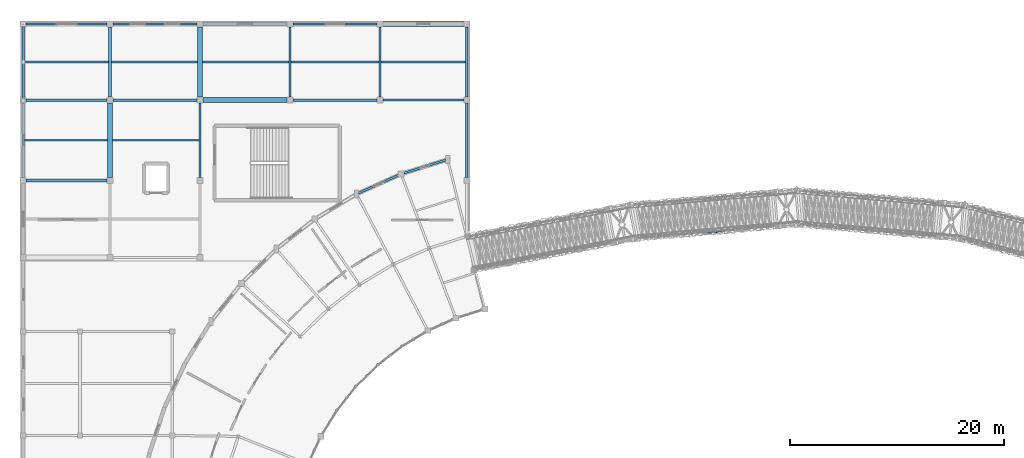
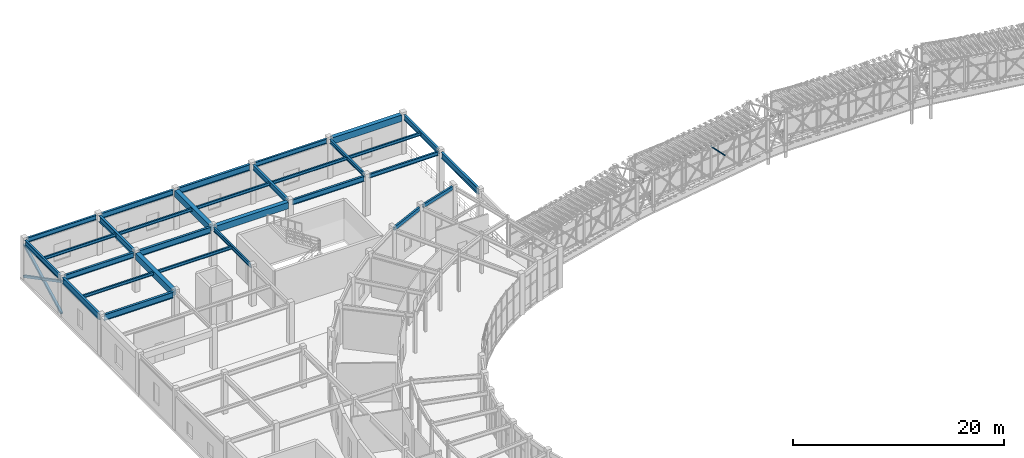
# One storey, part 52 of 144: 30 beams, 4 members.
"""IFC4 building model written with IfcOpenShell, lengths in metres."""

from ifc_helpers import new_model, si_unit, direction, frame, origin, origin_2d, place, context, subcontext, project, spatial, rectangle, hollow_rectangle, hollow_circle, i_section, extrude, material, material_profile, profile_set, type_object, element, save


model = new_model("IFC4")

# Units and contexts
model_context = context("Model", 3, precision=1e-05, world=origin(), true_north=direction((0.0, 1.0)))
body_context = subcontext(model_context, "Body", "Model", "MODEL_VIEW")
ifc_project = project(units=[si_unit("LENGTHUNIT", "METRE"), si_unit("AREAUNIT", "SQUARE_METRE"), si_unit("VOLUMEUNIT", "CUBIC_METRE"), si_unit("PLANEANGLEUNIT", "RADIAN"), si_unit("MASSUNIT", "GRAM", prefix="KILO")], contexts=[model_context])

# Site, building, storey
site_placement = place(None, origin())
site = spatial("IfcSite", under=ifc_project, at=site_placement, CompositionType="ELEMENT")
building_placement = place(site_placement, origin())
building = spatial("IfcBuilding", under=site, at=building_placement, Name="Cinderbank Siding Concert Hall", CompositionType="ELEMENT")
storey_placement = place(building_placement, frame((0.0, 0.0, 5.39990234375)))
storey = spatial("IfcBuildingStorey", under=building, at=storey_placement, Name="L02", CompositionType="ELEMENT", Elevation=5.39990234375)

# Beams
ifc_material_1 = material(Name="Reinforced concrete AS 3600 N50 (50 MPa)", Category="concrete")
ifc_material_profile_1 = material_profile(ifc_material_1, rectangle(XDim=0.449951171875, YDim=0.75, at=origin_2d()), Name="RC-BM-450x750", Category="LoadBearing")
ifc_profile_set_1 = profile_set([ifc_material_profile_1], Name="Reinforced concrete AS 3600 N50 (50 MPa)")
beam_type_1 = type_object("IfcBeamType", Name="BM-RC750 RC-BM-450x750", PredefinedType="BEAM", material=ifc_profile_set_1)
beam_1_placement = place(storey_placement, frame((15.199951171875, 103.56689453125, 4.177001953125), z_axis=(0.0, 1.0, 0.0), x_axis=(-1.0, 0.0, 0.0)))
element("IfcBeam", 1, at=beam_1_placement, inside=storey, type_object=beam_type_1, Name="L02 Beam BM-RC750 #1578", PredefinedType="BEAM", context=body_context, shape_type="SweptSolid", body=[
    extrude(rectangle(XDim=0.449951171875, YDim=0.75, at=origin_2d()), origin(), (0.0, 0.0, 1.0), 6.966064453125),
])
beam_2_placement = place(storey_placement, frame((23.866943359375, 110.800048828125, 4.177001953125), z_axis=(1.0, 0.0, 0.0), x_axis=(0.0, 1.0, 0.0)))
element("IfcBeam", 2, at=beam_2_placement, inside=storey, type_object=beam_type_1, Name="L02 Beam BM-RC750 #1584", PredefinedType="BEAM", context=body_context, shape_type="SweptSolid", body=[
    extrude(rectangle(XDim=0.449951171875, YDim=0.75, at=origin_2d()), origin(), (0.0, 0.0, 1.0), 7.865966796875),
])
beam_3_placement = place(storey_placement, frame((23.60009765625, 111.06689453125, 4.177001953125), z_axis=(0.0, 1.0, 0.0), x_axis=(-1.0, 0.0, 0.0)))
element("IfcBeam", 3, at=beam_3_placement, inside=storey, type_object=beam_type_1, Name="L02 Beam BM-RC750 #1585", PredefinedType="BEAM", context=body_context, shape_type="SweptSolid", body=[
    extrude(rectangle(XDim=0.449951171875, YDim=0.75, at=origin_2d()), origin(), (0.0, 0.0, 1.0), 6.566162109375),
])
beam_4_placement = place(storey_placement, frame((40.6669921875, 117.89990234375, 4.177001953125), z_axis=(1.0, 0.0, 0.0), x_axis=(0.0, 1.0, 0.0)))
element("IfcBeam", 4, at=beam_4_placement, inside=storey, type_object=beam_type_1, Name="L02 Beam BM-RC750 #1592", PredefinedType="BEAM", context=body_context, shape_type="SweptSolid", body=[
    extrude(rectangle(XDim=0.449951171875, YDim=0.75, at=origin_2d()), origin(), (0.0, 0.0, 1.0), 7.56591796875),
])
ifc_material_2 = material(Name="Structural steel AS/NZS 3679.1 Grade 350 (340 MPa)", Category="steel")
ifc_material_profile_2 = material_profile(ifc_material_2, i_section(OverallWidth=0.18994140625, OverallDepth=0.45751953125, WebThickness=0.009033203125, FlangeThickness=0.014404296875, at=origin_2d()), Name="460UB74.6", Category="LoadBearing")
ifc_profile_set_2 = profile_set([ifc_material_profile_2], Name="Structural steel AS/NZS 3679.1 Grade 350 (340 MPa)")
beam_type_2 = type_object("IfcBeamType", Name="BM-UB460 460UB74.6", PredefinedType="BEAM", material=ifc_profile_set_2)
beam_5_placement = place(storey_placement, frame((23.60009765625, 103.56689453125, 4.323486328125), z_axis=(0.0, 1.0, 0.0), x_axis=(-1.0, 0.0, 0.0)))
element("IfcBeam", 5, at=beam_5_placement, inside=storey, type_object=beam_type_2, Name="L02 Beam BM-UB460 #1583", PredefinedType="BEAM", context=body_context, shape_type="SweptSolid", body=[
    extrude(i_section(OverallWidth=0.18994140625, OverallDepth=0.45751953125, WebThickness=0.009033203125, FlangeThickness=0.014404296875, at=origin_2d()), origin(), (0.0, 0.0, 1.0), 6.966064453125),
])
beam_6_placement = place(storey_placement, frame((40.6669921875, 110.800048828125, 4.323486328125), z_axis=(1.0, 0.0, 0.0), x_axis=(0.0, 1.0, 0.0)))
element("IfcBeam", 6, at=beam_6_placement, inside=storey, type_object=beam_type_2, Name="L02 Beam BM-UB460 #1590", PredefinedType="BEAM", context=body_context, shape_type="SweptSolid", body=[
    extrude(i_section(OverallWidth=0.18994140625, OverallDepth=0.45751953125, WebThickness=0.009033203125, FlangeThickness=0.014404296875, at=origin_2d()), origin(), (0.0, 0.0, 1.0), 7.56591796875),
])
beam_7_placement = place(storey_placement, frame((40.39990234375, 111.06689453125, 4.323486328125), z_axis=(0.0, 1.0, 0.0), x_axis=(-1.0, 0.0, 0.0)))
element("IfcBeam", 7, at=beam_7_placement, inside=storey, type_object=beam_type_2, Name="L02 Beam BM-UB460 #1591", PredefinedType="BEAM", context=body_context, shape_type="SweptSolid", body=[
    extrude(i_section(OverallWidth=0.18994140625, OverallDepth=0.45751953125, WebThickness=0.009033203125, FlangeThickness=0.014404296875, at=origin_2d()), origin(), (0.0, 0.0, 1.0), 6.566162109375),
])
ifc_material_profile_3 = material_profile(ifc_material_2, i_section(OverallWidth=0.208984375, OverallDepth=0.5283203125, WebThickness=0.009521484375, FlangeThickness=0.01318359375, at=origin_2d()), Name="530UB82.0", Category="LoadBearing")
ifc_profile_set_3 = profile_set([ifc_material_profile_3], Name="Structural steel AS/NZS 3679.1 Grade 350 (340 MPa)")
beam_type_3 = type_object("IfcBeamType", Name="BM-UB530 530UB82.0", PredefinedType="BEAM", material=ifc_profile_set_3)
beam_8_placement = place(storey_placement, frame((7.366943359375, 117.89990234375, 4.2880859375), z_axis=(1.0, 0.0, 0.0), x_axis=(0.0, 1.0, 0.0)))
element("IfcBeam", 8, at=beam_8_placement, inside=storey, type_object=beam_type_3, Name="L02 Beam BM-UB530 #1575", PredefinedType="BEAM", context=body_context, shape_type="SweptSolid", body=[
    extrude(i_section(OverallWidth=0.208984375, OverallDepth=0.5283203125, WebThickness=0.009521484375, FlangeThickness=0.01318359375, at=origin_2d()), origin(), (0.0, 0.0, 1.0), 7.566162109375),
])
beam_9_placement = place(storey_placement, frame((32.26708984375, 117.89990234375, 4.2880859375), z_axis=(1.0, 0.0, 0.0), x_axis=(0.0, 1.0, 0.0)))
element("IfcBeam", 9, at=beam_9_placement, inside=storey, type_object=beam_type_3, Name="L02 Beam BM-UB530 #1589", PredefinedType="BEAM", context=body_context, shape_type="SweptSolid", body=[
    extrude(i_section(OverallWidth=0.208984375, OverallDepth=0.5283203125, WebThickness=0.009521484375, FlangeThickness=0.01318359375, at=origin_2d()), origin(), (0.0, 0.0, 1.0), 7.865966796875),
])
ifc_material_profile_4 = material_profile(ifc_material_2, i_section(OverallWidth=0.22802734375, OverallDepth=0.602294921875, WebThickness=0.010498046875, FlangeThickness=0.014892578125, at=origin_2d()), Name="610UB101", Category="LoadBearing")
ifc_profile_set_4 = profile_set([ifc_material_profile_4], Name="Structural steel AS/NZS 3679.1 Grade 350 (340 MPa)")
beam_type_4 = type_object("IfcBeamType", Name="BM-UB610 610UB101", PredefinedType="BEAM", material=ifc_profile_set_4)
beam_10_placement = place(storey_placement, frame((7.366943359375, 110.800048828125, 4.2509765625), z_axis=(1.0, 0.0, 0.0), x_axis=(0.0, 1.0, 0.0)))
element("IfcBeam", 10, at=beam_10_placement, inside=storey, type_object=beam_type_4, Name="L02 Beam BM-UB610 #1573", PredefinedType="BEAM", context=body_context, shape_type="SweptSolid", body=[
    extrude(i_section(OverallWidth=0.22802734375, OverallDepth=0.602294921875, WebThickness=0.010498046875, FlangeThickness=0.014892578125, at=origin_2d()), origin(), (0.0, 0.0, 1.0), 7.566162109375),
])
beam_11_placement = place(storey_placement, frame((7.10009765625, 111.06689453125, 4.2509765625), z_axis=(0.0, 1.0, 0.0), x_axis=(-1.0, 0.0, 0.0)))
element("IfcBeam", 11, at=beam_11_placement, inside=storey, type_object=beam_type_4, Name="L02 Beam BM-UB610 #1574", PredefinedType="BEAM", context=body_context, shape_type="SweptSolid", body=[
    extrude(i_section(OverallWidth=0.22802734375, OverallDepth=0.602294921875, WebThickness=0.010498046875, FlangeThickness=0.014892578125, at=origin_2d()), origin(), (0.0, 0.0, 1.0), 6.566162109375),
])
for number, where, z_axis, x_axis, name in (
    (12, (15.467041015625, 117.89990234375, 4.2509765625), (1.0, 0.0, 0.0), (0.0, 1.0, 0.0), "L02 Beam BM-UB610 #1581"),
    (13, (32.26708984375, 110.800048828125, 4.2509765625), (1.0, 0.0, 0.0), (0.0, 1.0, 0.0), "L02 Beam BM-UB610 #1587"),
):
    element("IfcBeam", number, at=place(storey_placement, frame(where, z_axis=z_axis, x_axis=x_axis)), inside=storey, type_object=beam_type_4, Name=name, PredefinedType="BEAM", context=body_context, shape_type="SweptSolid", body=[
        extrude(i_section(OverallWidth=0.22802734375, OverallDepth=0.602294921875, WebThickness=0.010498046875, FlangeThickness=0.014892578125, at=origin_2d()), origin(), (0.0, 0.0, 1.0), 7.865966796875),
    ])
for number, where, z_axis, x_axis, name in (
    (14, (32.0, 111.06689453125, 4.2509765625), (0.0, 1.0, 0.0), (-1.0, 0.0, 0.0), "L02 Beam BM-UB610 #1588"),
    (15, (48.5, 111.06689453125, 4.2509765625), (0.0, 1.0, 0.0), (-1.0, 0.0, 0.0), "L02 Beam BM-UB610 #1594"),
):
    element("IfcBeam", number, at=place(storey_placement, frame(where, z_axis=z_axis, x_axis=x_axis)), inside=storey, type_object=beam_type_4, Name=name, PredefinedType="BEAM", context=body_context, shape_type="SweptSolid", body=[
        extrude(i_section(OverallWidth=0.22802734375, OverallDepth=0.602294921875, WebThickness=0.010498046875, FlangeThickness=0.014892578125, at=origin_2d()), origin(), (0.0, 0.0, 1.0), 6.566162109375),
    ])
ifc_material_3 = material(Name="Structural steel welded plate section AS/NZS 3679.2 / AS/NZS 3678 Grade 350 (340 MPa)", Category="steel")
ifc_material_profile_5 = material_profile(ifc_material_3, i_section(OverallWidth=0.25, OverallDepth=0.699951171875, WebThickness=0.010009765625, FlangeThickness=0.01611328125, at=origin_2d()), Name="700WB130", Category="LoadBearing")
ifc_profile_set_5 = profile_set([ifc_material_profile_5], Name="Structural steel welded plate section AS/NZS 3679.2 / AS/NZS 3678 Grade 350 (340 MPa)")
beam_type_5 = type_object("IfcBeamType", Name="BM-WB700 700WB130", PredefinedType="BEAM", material=ifc_profile_set_5)
beam_12_placement = place(storey_placement, frame((7.366943359375, 103.300048828125, 4.2021484375), z_axis=(1.0, 0.0, 0.0), x_axis=(0.0, 1.0, 0.0)))
element("IfcBeam", 16, at=beam_12_placement, inside=storey, type_object=beam_type_5, Name="L02 Beam BM-WB700 #1571", PredefinedType="BEAM", context=body_context, shape_type="SweptSolid", body=[
    extrude(i_section(OverallWidth=0.25, OverallDepth=0.699951171875, WebThickness=0.010009765625, FlangeThickness=0.01611328125, at=origin_2d()), origin(), (0.0, 0.0, 1.0), 7.566162109375),
])
beam_13_placement = place(storey_placement, frame((7.10009765625, 103.56689453125, 4.2021484375), z_axis=(0.0, 1.0, 0.0), x_axis=(-1.0, 0.0, 0.0)))
element("IfcBeam", 17, at=beam_13_placement, inside=storey, type_object=beam_type_5, Name="L02 Beam BM-WB700 #1572", PredefinedType="BEAM", context=body_context, shape_type="SweptSolid", body=[
    extrude(i_section(OverallWidth=0.25, OverallDepth=0.699951171875, WebThickness=0.010009765625, FlangeThickness=0.01611328125, at=origin_2d()), origin(), (0.0, 0.0, 1.0), 6.966064453125),
])
beam_14_placement = place(storey_placement, frame((15.467041015625, 110.800048828125, 4.2021484375), z_axis=(1.0, 0.0, 0.0), x_axis=(0.0, 1.0, 0.0)))
element("IfcBeam", 18, at=beam_14_placement, inside=storey, type_object=beam_type_5, Name="L02 Beam BM-WB700 #1579", PredefinedType="BEAM", context=body_context, shape_type="SweptSolid", body=[
    extrude(i_section(OverallWidth=0.25, OverallDepth=0.699951171875, WebThickness=0.010009765625, FlangeThickness=0.01611328125, at=origin_2d()), origin(), (0.0, 0.0, 1.0), 7.865966796875),
])
beam_15_placement = place(storey_placement, frame((15.199951171875, 111.06689453125, 4.2021484375), z_axis=(0.0, 1.0, 0.0), x_axis=(-1.0, 0.0, 0.0)))
element("IfcBeam", 19, at=beam_15_placement, inside=storey, type_object=beam_type_5, Name="L02 Beam BM-WB700 #1580", PredefinedType="BEAM", context=body_context, shape_type="SweptSolid", body=[
    extrude(i_section(OverallWidth=0.25, OverallDepth=0.699951171875, WebThickness=0.010009765625, FlangeThickness=0.01611328125, at=origin_2d()), origin(), (0.0, 0.0, 1.0), 6.566162109375),
])
beam_16_placement = place(storey_placement, frame((23.866943359375, 117.89990234375, 4.2021484375), z_axis=(1.0, 0.0, 0.0), x_axis=(0.0, 1.0, 0.0)))
element("IfcBeam", 20, at=beam_16_placement, inside=storey, type_object=beam_type_5, Name="L02 Beam BM-WB700 #1586", PredefinedType="BEAM", context=body_context, shape_type="SweptSolid", body=[
    extrude(i_section(OverallWidth=0.25, OverallDepth=0.699951171875, WebThickness=0.010009765625, FlangeThickness=0.01611328125, at=origin_2d()), origin(), (0.0, 0.0, 1.0), 7.865966796875),
])
beam_17_placement = place(storey_placement, frame((48.5, 103.56689453125, 4.2021484375), z_axis=(0.0, 1.0, 0.0), x_axis=(-1.0, 0.0, 0.0)))
element("IfcBeam", 21, at=beam_17_placement, inside=storey, type_object=beam_type_5, Name="L02 Beam BM-WB700 #1593", PredefinedType="BEAM", context=body_context, shape_type="SweptSolid", body=[
    extrude(i_section(OverallWidth=0.25, OverallDepth=0.699951171875, WebThickness=0.010009765625, FlangeThickness=0.01611328125, at=origin_2d()), origin(), (0.0, 0.0, 1.0), 6.966064453125),
])

# Members
ifc_material_4 = material(Name="Structural steel hollow section AS/NZS 1163 Grade C350L0 (350 MPa)", Category="steel")
ifc_material_profile_6 = material_profile(ifc_material_4, hollow_circle(Radius=0.06982421875, WallThickness=0.00634765625, at=origin_2d()), Name="139.7x6.4CHS", Category="LoadBearing")
ifc_profile_set_6 = profile_set([ifc_material_profile_6], Name="Structural steel hollow section AS/NZS 1163 Grade C350L0 (350 MPa)")
member_type_1 = type_object("IfcMemberType", Name="BR-CHS139 139.7x6.4CHS Roof Truss", PredefinedType="BRACE", material=ifc_profile_set_6)
member_1_placement = place(storey_placement, frame((70.8798828125, 98.39990234375, 4.690185546875), z_axis=(0.68945680998, 0.059863630245, -0.721848774291), x_axis=(-0.086501782695, 0.996251695903, 0.0)))
element("IfcMember", 22, at=member_1_placement, inside=storey, type_object=member_type_1, Name="L02 Diagonal Brace BR-CHS139 #BRDR-BR-CHS139-L02-0159", PredefinedType="BRACE", context=body_context, shape_type="SweptSolid", body=[
    extrude(hollow_circle(Radius=0.06982421875, WallThickness=0.00634765625, at=origin_2d()), origin(), (0.0, 0.0, 1.0), 2.3818359375),
])
ifc_material_profile_7 = material_profile(ifc_material_4, hollow_rectangle(XDim=0.25, YDim=0.25, WallThickness=0.010009765625, at=origin_2d()), Name="250x250x10.0SHS", Category="LoadBearing")
ifc_profile_set_7 = profile_set([ifc_material_profile_7], Name="Structural steel hollow section AS/NZS 1163 Grade C350L0 (350 MPa)")
member_type_2 = type_object("IfcMemberType", Name="BR-SHS250 250x250x10.0SHS Roof Truss", PredefinedType="BRACE", material=ifc_profile_set_7)
member_2_placement = place(storey_placement, frame((7.10009765625, 110.800048828125, 0.2001953125), z_axis=(0.0, 0.886806043932, 0.462141796905), x_axis=(-1.0, 0.0, 0.0)))
element("IfcMember", 23, at=member_2_placement, inside=storey, type_object=member_type_2, Name="L02 Diagonal Brace BR-SHS250 #LBR-BR-SHS250-L02-2532", PredefinedType="BRACE", context=body_context, shape_type="SweptSolid", body=[
    extrude(hollow_rectangle(XDim=0.25, YDim=0.25, WallThickness=0.010009765625, at=origin_2d()), origin(), (0.0, 0.0, 1.0), 8.006103515625),
])
for number, where, z_axis, x_axis, name in (
    (24, (7.10009765625, 117.89990234375, 0.2001953125), (0.0, -0.886808512195, 0.462137060511), (1.0, 0.0, 0.0), "L02 Diagonal Brace BR-SHS250 #LBR-BR-SHS250-L02-2533"),
    (25, (7.10009765625, 114.336669921875, 2.056884765625), (0.0, -0.886783422675, 0.462185202347), (1.0, 0.0, 0.0), "L02 Diagonal Brace BR-SHS250 #LBR-BR-SHS250-L02-2533-S234"),
):
    element("IfcMember", number, at=place(storey_placement, frame(where, z_axis=z_axis, x_axis=x_axis)), inside=storey, type_object=member_type_2, Name=name, PredefinedType="BRACE", context=body_context, shape_type="SweptSolid", body=[
        extrude(hollow_rectangle(XDim=0.25, YDim=0.25, WallThickness=0.010009765625, at=origin_2d()), origin(), (0.0, 0.0, 1.0), 3.988037109375),
    ])

# Beams
ifc_material_profile_8 = material_profile(ifc_material_2, i_section(OverallWidth=0.1708984375, OverallDepth=0.35205078125, WebThickness=0.0068359375, FlangeThickness=0.009765625, at=origin_2d()), Name="360UB44.7", Category="LoadBearing")
ifc_profile_set_8 = profile_set([ifc_material_profile_8], Name="Structural steel AS/NZS 3679.1 Grade 350 (340 MPa)")
beam_type_6 = type_object("IfcBeamType", Name="JS-UB360 360UB44.7", PredefinedType="JOIST", material=ifc_profile_set_8)
beam_18_placement = place(storey_placement, frame((7.217041015625, 107.050048828125, 4.3759765625), z_axis=(1.0, 0.0, 0.0), x_axis=(0.0, 1.0, 0.0)))
element("IfcBeam", 26, at=beam_18_placement, inside=storey, type_object=beam_type_6, Name="L02 Beam JS-UB360 #1679", PredefinedType="JOIST", context=body_context, shape_type="SweptSolid", body=[
    extrude(i_section(OverallWidth=0.1708984375, OverallDepth=0.35205078125, WebThickness=0.0068359375, FlangeThickness=0.009765625, at=origin_2d()), origin(), (0.0, 0.0, 1.0), 7.765869140625),
])
beam_19_placement = place(storey_placement, frame((7.2060546875, 114.35009765625, 4.3759765625), z_axis=(1.0, 0.0, 0.0), x_axis=(0.0, 1.0, 0.0)))
element("IfcBeam", 27, at=beam_19_placement, inside=storey, type_object=beam_type_6, Name="L02 Beam JS-UB360 #1680", PredefinedType="JOIST", context=body_context, shape_type="SweptSolid", body=[
    extrude(i_section(OverallWidth=0.1708984375, OverallDepth=0.35205078125, WebThickness=0.0068359375, FlangeThickness=0.009765625, at=origin_2d()), origin(), (0.0, 0.0, 1.0), 7.876953125),
])
beam_20_placement = place(storey_placement, frame((15.4169921875, 107.050048828125, 4.3759765625), z_axis=(1.0, 0.0, 0.0), x_axis=(0.0, 1.0, 0.0)))
element("IfcBeam", 28, at=beam_20_placement, inside=storey, type_object=beam_type_6, Name="L02 Beam JS-UB360 #1682", PredefinedType="JOIST", context=body_context, shape_type="SweptSolid", body=[
    extrude(i_section(OverallWidth=0.1708984375, OverallDepth=0.35205078125, WebThickness=0.0068359375, FlangeThickness=0.009765625, at=origin_2d()), origin(), (0.0, 0.0, 1.0), 8.095947265625),
])
beam_21_placement = place(storey_placement, frame((15.31689453125, 114.35009765625, 4.3759765625), z_axis=(1.0, 0.0, 0.0), x_axis=(0.0, 1.0, 0.0)))
element("IfcBeam", 29, at=beam_21_placement, inside=storey, type_object=beam_type_6, Name="L02 Beam JS-UB360 #1683", PredefinedType="JOIST", context=body_context, shape_type="SweptSolid", body=[
    extrude(i_section(OverallWidth=0.1708984375, OverallDepth=0.35205078125, WebThickness=0.0068359375, FlangeThickness=0.009765625, at=origin_2d()), origin(), (0.0, 0.0, 1.0), 8.066162109375),
])
beam_22_placement = place(storey_placement, frame((23.81689453125, 114.35009765625, 4.3759765625), z_axis=(1.0, 0.0, 0.0), x_axis=(0.0, 1.0, 0.0)))
element("IfcBeam", 30, at=beam_22_placement, inside=storey, type_object=beam_type_6, Name="L02 Beam JS-UB360 #1684", PredefinedType="JOIST", context=body_context, shape_type="SweptSolid", body=[
    extrude(i_section(OverallWidth=0.1708984375, OverallDepth=0.35205078125, WebThickness=0.0068359375, FlangeThickness=0.009765625, at=origin_2d()), origin(), (0.0, 0.0, 1.0), 8.0771484375),
])
beam_23_placement = place(storey_placement, frame((32.10595703125, 114.35009765625, 4.3759765625), z_axis=(1.0, 0.0, 0.0), x_axis=(0.0, 1.0, 0.0)))
element("IfcBeam", 31, at=beam_23_placement, inside=storey, type_object=beam_type_6, Name="L02 Beam JS-UB360 #1685", PredefinedType="JOIST", context=body_context, shape_type="SweptSolid", body=[
    extrude(i_section(OverallWidth=0.1708984375, OverallDepth=0.35205078125, WebThickness=0.0068359375, FlangeThickness=0.009765625, at=origin_2d()), origin(), (0.0, 0.0, 1.0), 8.20703125),
])
beam_24_placement = place(storey_placement, frame((40.487060546875, 114.35009765625, 4.3759765625), z_axis=(1.0, 0.0, 0.0), x_axis=(0.0, 1.0, 0.0)))
element("IfcBeam", 32, at=beam_24_placement, inside=storey, type_object=beam_type_6, Name="L02 Beam JS-UB360 #1686", PredefinedType="JOIST", context=body_context, shape_type="SweptSolid", body=[
    extrude(i_section(OverallWidth=0.1708984375, OverallDepth=0.35205078125, WebThickness=0.0068359375, FlangeThickness=0.009765625, at=origin_2d()), origin(), (0.0, 0.0, 1.0), 7.906982421875),
])
ifc_material_profile_9 = material_profile(ifc_material_4, hollow_rectangle(XDim=0.199951171875, YDim=0.39990234375, WallThickness=0.012451171875, at=origin_2d()), Name="400x200x12.5RHS", Category="LoadBearing")
ifc_profile_set_9 = profile_set([ifc_material_profile_9], Name="Structural steel hollow section AS/NZS 1163 Grade C350L0 (350 MPa)")
beam_type_7 = type_object("IfcBeamType", Name="SP-RHS400 400x200x12.5RHS", PredefinedType="SPANDREL", material=ifc_profile_set_9)
beam_25_placement = place(storey_placement, frame((46.527099609375, 105.201904296875, 4.322021484375), z_axis=(-0.954238908142, -0.299045324639, 0.0), x_axis=(0.299045324639, -0.954238908142, 0.0)))
element("IfcBeam", 33, at=beam_25_placement, inside=storey, type_object=beam_type_7, Name="L02 Beam SP-RHS400 #940", PredefinedType="SPANDREL", context=body_context, shape_type="SweptSolid", body=[
    extrude(hollow_rectangle(XDim=0.199951171875, YDim=0.39990234375, WallThickness=0.012451171875, at=origin_2d()), origin(), (0.0, 0.0, 1.0), 4.095947265625),
])
beam_26_placement = place(storey_placement, frame((42.120361328125, 103.787841796875, 4.322021484375), z_axis=(-0.912119926191, -0.409923456569, 0.0), x_axis=(0.409923456569, -0.912119926191, 0.0)))
element("IfcBeam", 34, at=beam_26_placement, inside=storey, type_object=beam_type_7, Name="L02 Beam SP-RHS400 #949", PredefinedType="SPANDREL", context=body_context, shape_type="SweptSolid", body=[
    extrude(hollow_rectangle(XDim=0.199951171875, YDim=0.39990234375, WallThickness=0.012451171875, at=origin_2d()), origin(), (0.0, 0.0, 1.0), 4.095703125),
])

save(model, "model.ifc")
